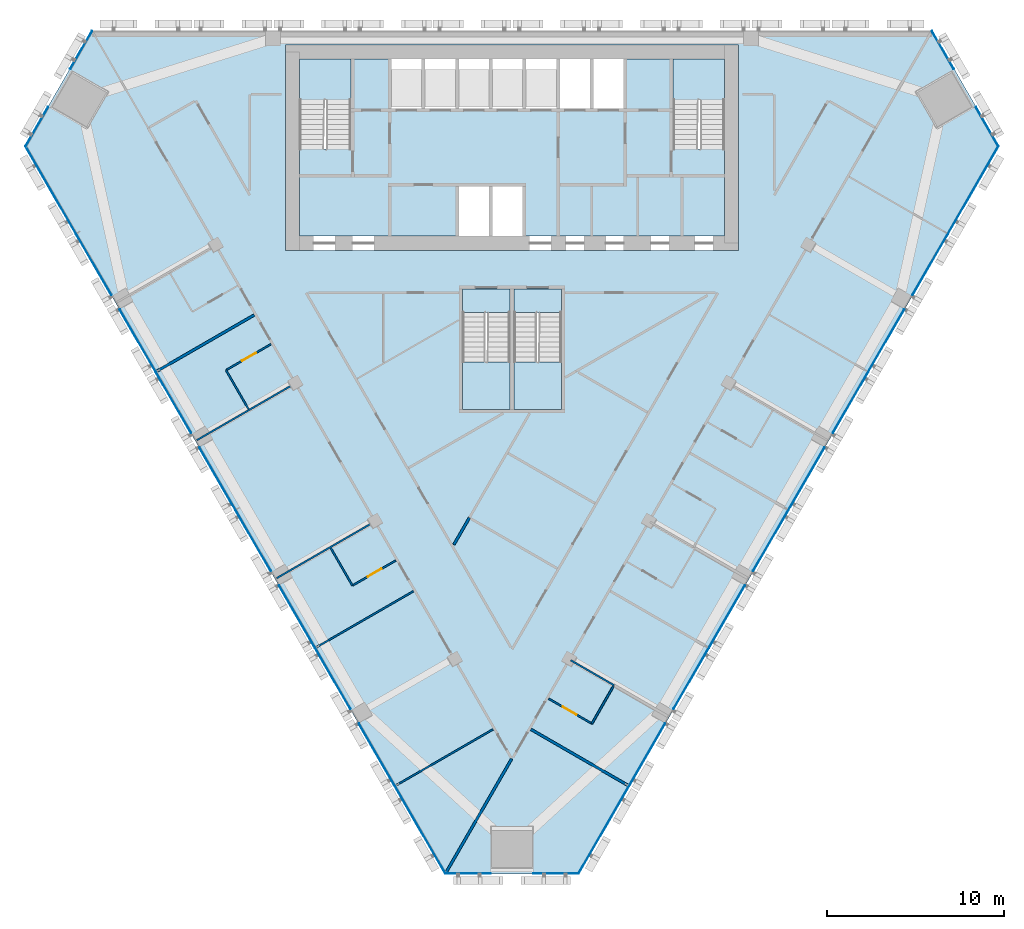
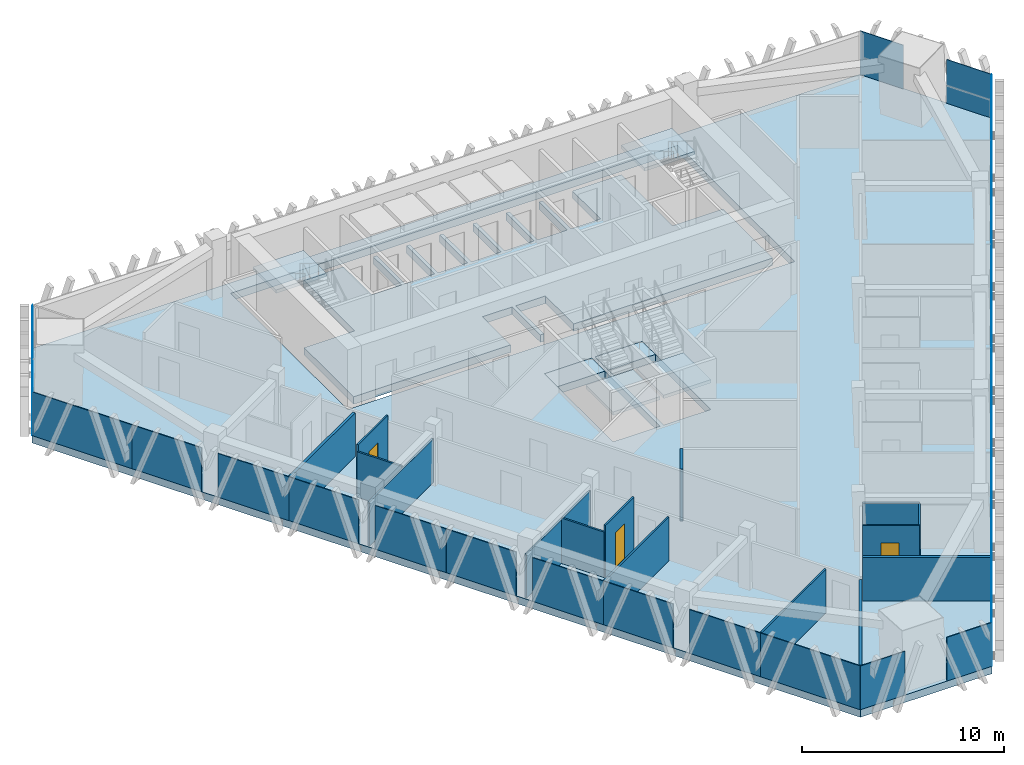
# One storey, part 8 of 15: 26 plates, 15 walls, 8 slabs, 3 doors, 3 openings, 9 elements without a shape of their own.
"""IFC4 building model written with IfcOpenShell, lengths in metres."""

from ifc_helpers import new_model, si_unit, direction, frame, frame_2d, origin, origin_2d, place, context, subcontext, project, spatial, polyline, rectangle, outline, extrude, material, layer, layer_set, type_object, element, fill, aggregate, save


model = new_model("IFC4")

# Units and contexts
model_context = context("Model", 3, precision=1e-05, world=origin(), true_north=direction((0.0, 1.0)))
body_context = subcontext(model_context, "Body", "Model", "MODEL_VIEW")
ifc_project = project(units=[si_unit("LENGTHUNIT", "METRE"), si_unit("AREAUNIT", "SQUARE_METRE"), si_unit("VOLUMEUNIT", "CUBIC_METRE"), si_unit("PLANEANGLEUNIT", "RADIAN"), si_unit("MASSUNIT", "GRAM", prefix="KILO")], contexts=[model_context])

# Site, building, storey
site_placement = place(None, origin())
site = spatial("IfcSite", under=ifc_project, at=site_placement, CompositionType="ELEMENT")
building_placement = place(site_placement, origin())
building = spatial("IfcBuilding", under=site, at=building_placement, Name="Altiplano Prism Tower", CompositionType="ELEMENT")
storey_placement = place(building_placement, frame((0.0, 0.0, 142.199951171875)))
storey = spatial("IfcBuildingStorey", under=building, at=storey_placement, Name="L36", CompositionType="ELEMENT", Elevation=142.199951171875)

# Curtain wall, plates
ifc_material_1 = material(Name="Aluminium and glass", Category="aluminium")
ifc_layer_1 = layer(ifc_material_1, 0.280029296875)
ifc_layer_set_1 = layer_set([ifc_layer_1], Name="Aluminium and glass")
curtain_wall_type = type_object("IfcCurtainWallType", Name="CW1 typical co-living unitised curtain wall", PredefinedType="NOTDEFINED", material=ifc_layer_set_1)
curtain_wall_1_placement = place(storey_placement, origin())
curtain_wall_1 = element("IfcCurtainWall", 1, at=curtain_wall_1_placement, inside=storey, type_object=curtain_wall_type, Name="CW1 curtain wall north-west chamfer L36", PredefinedType="NOTDEFINED")
ifc_material_2 = material(Name="Clear glass", Category="glass")
ifc_layer_2 = layer(ifc_material_2, 0.0400390625)
ifc_layer_set_2 = layer_set([ifc_layer_2], Name="Clear glass")
plate_type = type_object("IfcPlateType", Name="CW1 insulated glass unit 40", PredefinedType="CURTAIN_PANEL", material=ifc_layer_set_2)
plate_1_placement = place(storey_placement, frame((60.678466796875, 103.912353515625, 0.0), z_axis=(0.0, 0.0, 1.0), x_axis=(-0.500000005472, -0.866025400625, 0.0)))
plate_1 = element("IfcPlate", 2, at=plate_1_placement, type_object=plate_type, Name="CW1 panel", PredefinedType="CURTAIN_PANEL", context=body_context, shape_type="SweptSolid", body=[
    extrude(rectangle(XDim=2.478515625, YDim=0.0400390625, at=origin_2d()), origin(), (0.0, 0.0, 1.0), 2.64990234375),
])
plate_2_placement = place(storey_placement, frame((58.17431640625, 99.574951171875, 0.0), z_axis=(0.0, 0.0, 1.0), x_axis=(-0.500000005472, -0.866025400625, 0.0)))
plate_2 = element("IfcPlate", 3, at=plate_2_placement, type_object=plate_type, Name="CW1 panel", PredefinedType="CURTAIN_PANEL", context=body_context, shape_type="SweptSolid", body=[
    extrude(rectangle(XDim=2.55859375, YDim=0.0400390625, at=origin_2d()), origin(), (0.0, 0.0, 1.0), 2.64990234375),
])
aggregate(curtain_wall_1, [plate_1, plate_2])

curtain_wall_2_placement = place(storey_placement, origin())
curtain_wall_2 = element("IfcCurtainWall", 4, at=curtain_wall_2_placement, inside=storey, type_object=curtain_wall_type, Name="CW1 curtain wall south-west face L36", PredefinedType="NOTDEFINED")
plate_3_placement = place(storey_placement, frame((58.961181640625, 96.00732421875, 0.0), z_axis=(0.0, 0.0, 1.0), x_axis=(0.500000000877, -0.866025403278, 0.0)))
plate_3 = element("IfcPlate", 5, at=plate_3_placement, type_object=plate_type, Name="CW1 panel", PredefinedType="CURTAIN_PANEL", context=body_context, shape_type="SweptSolid", body=[
    extrude(rectangle(XDim=5.706787109375, YDim=0.0400390625, at=origin_2d()), origin(), (0.0, 0.0, 1.0), 2.64990234375),
])
plate_4_placement = place(storey_placement, frame((61.389404296875, 91.8017578125, 0.0), z_axis=(0.0, 0.0, 1.0), x_axis=(0.500000000877, -0.866025403278, 0.0)))
plate_4 = element("IfcPlate", 6, at=plate_4_placement, type_object=plate_type, Name="CW1 panel", PredefinedType="CURTAIN_PANEL", context=body_context, shape_type="SweptSolid", body=[
    extrude(rectangle(XDim=3.985595703125, YDim=0.0400390625, at=origin_2d()), origin(), (0.0, 0.0, 1.0), 2.64990234375),
])
plate_5_placement = place(storey_placement, frame((63.871826171875, 87.501953125, 0.0), z_axis=(0.0, 0.0, 1.0), x_axis=(0.500000000877, -0.866025403278, 0.0)))
plate_5 = element("IfcPlate", 7, at=plate_5_placement, type_object=plate_type, Name="CW1 panel", PredefinedType="CURTAIN_PANEL", context=body_context, shape_type="SweptSolid", body=[
    extrude(rectangle(XDim=4.064453125, YDim=0.0400390625, at=origin_2d()), origin(), (0.0, 0.0, 1.0), 2.64990234375),
])
plate_6_placement = place(storey_placement, frame((65.889404296875, 84.007568359375, 0.0), z_axis=(0.0, 0.0, 1.0), x_axis=(0.500000000877, -0.866025403278, 0.0)))
plate_6 = element("IfcPlate", 8, at=plate_6_placement, type_object=plate_type, Name="CW1 panel", PredefinedType="CURTAIN_PANEL", context=body_context, shape_type="SweptSolid", body=[
    extrude(rectangle(XDim=3.985595703125, YDim=0.0400390625, at=origin_2d()), origin(), (0.0, 0.0, 1.0), 2.64990234375),
])
plate_7_placement = place(storey_placement, frame((68.371826171875, 79.707763671875, 0.0), z_axis=(0.0, 0.0, 1.0), x_axis=(0.500000000877, -0.866025403278, 0.0)))
plate_7 = element("IfcPlate", 9, at=plate_7_placement, type_object=plate_type, Name="CW1 panel", PredefinedType="CURTAIN_PANEL", context=body_context, shape_type="SweptSolid", body=[
    extrude(rectangle(XDim=4.064453125, YDim=0.0400390625, at=origin_2d()), origin(), (0.0, 0.0, 1.0), 2.64990234375),
])
plate_8_placement = place(storey_placement, frame((70.389404296875, 76.21337890625, 0.0), z_axis=(0.0, 0.0, 1.0), x_axis=(0.500000000877, -0.866025403278, 0.0)))
plate_8 = element("IfcPlate", 10, at=plate_8_placement, type_object=plate_type, Name="CW1 panel", PredefinedType="CURTAIN_PANEL", context=body_context, shape_type="SweptSolid", body=[
    extrude(rectangle(XDim=3.985595703125, YDim=0.0400390625, at=origin_2d()), origin(), (0.0, 0.0, 1.0), 2.64990234375),
])
plate_9_placement = place(storey_placement, frame((72.871826171875, 71.91357421875, 0.0), z_axis=(0.0, 0.0, 1.0), x_axis=(0.500000000877, -0.866025403278, 0.0)))
plate_9 = element("IfcPlate", 11, at=plate_9_placement, type_object=plate_type, Name="CW1 panel", PredefinedType="CURTAIN_PANEL", context=body_context, shape_type="SweptSolid", body=[
    extrude(rectangle(XDim=4.064453125, YDim=0.0400390625, at=origin_2d()), origin(), (0.0, 0.0, 1.0), 2.64990234375),
])
plate_10_placement = place(storey_placement, frame((74.889404296875, 68.419189453125, 0.0), z_axis=(0.0, 0.0, 1.0), x_axis=(0.500000000877, -0.866025403278, 0.0)))
plate_10 = element("IfcPlate", 12, at=plate_10_placement, type_object=plate_type, Name="CW1 panel", PredefinedType="CURTAIN_PANEL", context=body_context, shape_type="SweptSolid", body=[
    extrude(rectangle(XDim=3.985595703125, YDim=0.0400390625, at=origin_2d()), origin(), (0.0, 0.0, 1.0), 2.64990234375),
])
plate_11_placement = place(storey_placement, frame((77.371826171875, 64.119384765625, 0.0), z_axis=(0.0, 0.0, 1.0), x_axis=(0.500000000877, -0.866025403278, 0.0)))
plate_11 = element("IfcPlate", 13, at=plate_11_placement, type_object=plate_type, Name="CW1 panel", PredefinedType="CURTAIN_PANEL", context=body_context, shape_type="SweptSolid", body=[
    extrude(rectangle(XDim=4.064453125, YDim=0.0400390625, at=origin_2d()), origin(), (0.0, 0.0, 1.0), 2.64990234375),
])
plate_12_placement = place(storey_placement, frame((79.819580078125, 59.879638671875, 0.0), z_axis=(0.0, 0.0, 1.0), x_axis=(0.500000000877, -0.866025403278, 0.0)))
plate_12 = element("IfcPlate", 14, at=plate_12_placement, type_object=plate_type, Name="CW1 panel", PredefinedType="CURTAIN_PANEL", context=body_context, shape_type="SweptSolid", body=[
    extrude(rectangle(XDim=5.706787109375, YDim=0.0400390625, at=origin_2d()), origin(), (0.0, 0.0, 1.0), 2.64990234375),
])
aggregate(curtain_wall_2, [plate_3, plate_4, plate_5, plate_6, plate_7, plate_8, plate_9, plate_10, plate_11, plate_12])

curtain_wall_3_placement = place(storey_placement, origin())
curtain_wall_3 = element("IfcCurtainWall", 15, at=curtain_wall_3_placement, inside=storey, type_object=curtain_wall_type, Name="CW1 curtain wall south chamfer L36", PredefinedType="NOTDEFINED")
plate_13_placement = place(storey_placement, frame((82.515869140625, 57.4140625, 0.0), z_axis=(0.0, 0.0, 1.0), x_axis=(1.0, 0.0, 0.0)))
plate_13 = element("IfcPlate", 16, at=plate_13_placement, type_object=plate_type, Name="CW1 panel", PredefinedType="CURTAIN_PANEL", context=body_context, shape_type="SweptSolid", body=[
    extrude(rectangle(XDim=2.55859375, YDim=0.0400390625, at=origin_2d()), origin(), (0.0, 0.0, 1.0), 2.64990234375),
])
plate_14_placement = place(storey_placement, frame((87.484130859375, 57.4140625, 0.0), z_axis=(0.0, 0.0, 1.0), x_axis=(1.0, 0.0, 0.0)))
plate_14 = element("IfcPlate", 17, at=plate_14_placement, type_object=plate_type, Name="CW1 panel", PredefinedType="CURTAIN_PANEL", context=body_context, shape_type="SweptSolid", body=[
    extrude(rectangle(XDim=2.55859375, YDim=0.0400390625, at=origin_2d()), origin(), (0.0, 0.0, 1.0), 2.64990234375),
])
aggregate(curtain_wall_3, [plate_13, plate_14])

curtain_wall_4_placement = place(storey_placement, origin())
curtain_wall_4 = element("IfcCurtainWall", 18, at=curtain_wall_4_placement, inside=storey, type_object=curtain_wall_type, Name="CW1 curtain wall south-east face L36", PredefinedType="NOTDEFINED")
plate_15_placement = place(storey_placement, frame((90.180419921875, 59.879638671875, 0.0), z_axis=(0.0, 0.0, 1.0), x_axis=(0.500000000877, 0.866025403278, 0.0)))
plate_15 = element("IfcPlate", 19, at=plate_15_placement, type_object=plate_type, Name="CW1 panel", PredefinedType="CURTAIN_PANEL", context=body_context, shape_type="SweptSolid", body=[
    extrude(rectangle(XDim=5.706787109375, YDim=0.0400390625, at=origin_2d()), origin(), (0.0, 0.0, 1.0), 2.64990234375),
])
plate_16_placement = place(storey_placement, frame((92.628173828125, 64.119384765625, 0.0), z_axis=(0.0, 0.0, 1.0), x_axis=(0.500000000877, 0.866025403278, 0.0)))
plate_16 = element("IfcPlate", 20, at=plate_16_placement, type_object=plate_type, Name="CW1 panel", PredefinedType="CURTAIN_PANEL", context=body_context, shape_type="SweptSolid", body=[
    extrude(rectangle(XDim=4.064453125, YDim=0.0400390625, at=origin_2d()), origin(), (0.0, 0.0, 1.0), 2.64990234375),
])
plate_17_placement = place(storey_placement, frame((95.110595703125, 68.419189453125, 0.0), z_axis=(0.0, 0.0, 1.0), x_axis=(0.500000000877, 0.866025403278, 0.0)))
plate_17 = element("IfcPlate", 21, at=plate_17_placement, type_object=plate_type, Name="CW1 panel", PredefinedType="CURTAIN_PANEL", context=body_context, shape_type="SweptSolid", body=[
    extrude(rectangle(XDim=3.985595703125, YDim=0.0400390625, at=origin_2d()), origin(), (0.0, 0.0, 1.0), 2.64990234375),
])
plate_18_placement = place(storey_placement, frame((97.128173828125, 71.91357421875, 0.0), z_axis=(0.0, 0.0, 1.0), x_axis=(0.500000000877, 0.866025403278, 0.0)))
plate_18 = element("IfcPlate", 22, at=plate_18_placement, type_object=plate_type, Name="CW1 panel", PredefinedType="CURTAIN_PANEL", context=body_context, shape_type="SweptSolid", body=[
    extrude(rectangle(XDim=4.064453125, YDim=0.0400390625, at=origin_2d()), origin(), (0.0, 0.0, 1.0), 2.64990234375),
])
plate_19_placement = place(storey_placement, frame((99.610595703125, 76.21337890625, 0.0), z_axis=(0.0, 0.0, 1.0), x_axis=(0.500000000877, 0.866025403278, 0.0)))
plate_19 = element("IfcPlate", 23, at=plate_19_placement, type_object=plate_type, Name="CW1 panel", PredefinedType="CURTAIN_PANEL", context=body_context, shape_type="SweptSolid", body=[
    extrude(rectangle(XDim=3.985595703125, YDim=0.0400390625, at=origin_2d()), origin(), (0.0, 0.0, 1.0), 2.64990234375),
])
plate_20_placement = place(storey_placement, frame((101.628173828125, 79.707763671875, 0.0), z_axis=(0.0, 0.0, 1.0), x_axis=(0.500000000877, 0.866025403278, 0.0)))
plate_20 = element("IfcPlate", 24, at=plate_20_placement, type_object=plate_type, Name="CW1 panel", PredefinedType="CURTAIN_PANEL", context=body_context, shape_type="SweptSolid", body=[
    extrude(rectangle(XDim=4.064453125, YDim=0.0400390625, at=origin_2d()), origin(), (0.0, 0.0, 1.0), 2.64990234375),
])
plate_21_placement = place(storey_placement, frame((104.110595703125, 84.007568359375, 0.0), z_axis=(0.0, 0.0, 1.0), x_axis=(0.500000000877, 0.866025403278, 0.0)))
plate_21 = element("IfcPlate", 25, at=plate_21_placement, type_object=plate_type, Name="CW1 panel", PredefinedType="CURTAIN_PANEL", context=body_context, shape_type="SweptSolid", body=[
    extrude(rectangle(XDim=3.985595703125, YDim=0.0400390625, at=origin_2d()), origin(), (0.0, 0.0, 1.0), 2.64990234375),
])
plate_22_placement = place(storey_placement, frame((106.128173828125, 87.501953125, 0.0), z_axis=(0.0, 0.0, 1.0), x_axis=(0.500000000877, 0.866025403278, 0.0)))
plate_22 = element("IfcPlate", 26, at=plate_22_placement, type_object=plate_type, Name="CW1 panel", PredefinedType="CURTAIN_PANEL", context=body_context, shape_type="SweptSolid", body=[
    extrude(rectangle(XDim=4.064453125, YDim=0.0400390625, at=origin_2d()), origin(), (0.0, 0.0, 1.0), 2.64990234375),
])
plate_23_placement = place(storey_placement, frame((108.610595703125, 91.8017578125, 0.0), z_axis=(0.0, 0.0, 1.0), x_axis=(0.500000000877, 0.866025403278, 0.0)))
plate_23 = element("IfcPlate", 27, at=plate_23_placement, type_object=plate_type, Name="CW1 panel", PredefinedType="CURTAIN_PANEL", context=body_context, shape_type="SweptSolid", body=[
    extrude(rectangle(XDim=3.985595703125, YDim=0.0400390625, at=origin_2d()), origin(), (0.0, 0.0, 1.0), 2.64990234375),
])
plate_24_placement = place(storey_placement, frame((111.038818359375, 96.00732421875, 0.0), z_axis=(0.0, 0.0, 1.0), x_axis=(0.500000000877, 0.866025403278, 0.0)))
plate_24 = element("IfcPlate", 28, at=plate_24_placement, type_object=plate_type, Name="CW1 panel", PredefinedType="CURTAIN_PANEL", context=body_context, shape_type="SweptSolid", body=[
    extrude(rectangle(XDim=5.706787109375, YDim=0.0400390625, at=origin_2d()), origin(), (0.0, 0.0, 1.0), 2.64990234375),
])
aggregate(curtain_wall_4, [plate_15, plate_16, plate_17, plate_18, plate_19, plate_20, plate_21, plate_22, plate_23, plate_24])

curtain_wall_5_placement = place(storey_placement, origin())
curtain_wall_5 = element("IfcCurtainWall", 29, at=curtain_wall_5_placement, inside=storey, type_object=curtain_wall_type, Name="CW1 curtain wall north-east chamfer L36", PredefinedType="NOTDEFINED")
plate_25_placement = place(storey_placement, frame((111.82568359375, 99.574951171875, 0.0), z_axis=(0.0, 0.0, 1.0), x_axis=(-0.500000005472, 0.866025400625, 0.0)))
plate_25 = element("IfcPlate", 30, at=plate_25_placement, type_object=plate_type, Name="CW1 panel", PredefinedType="CURTAIN_PANEL", context=body_context, shape_type="SweptSolid", body=[
    extrude(rectangle(XDim=2.55859375, YDim=0.0400390625, at=origin_2d()), origin(), (0.0, 0.0, 1.0), 2.64990234375),
])
plate_26_placement = place(storey_placement, frame((109.321533203125, 103.912353515625, 0.0), z_axis=(0.0, 0.0, 1.0), x_axis=(-0.500000005472, 0.866025400625, 0.0)))
plate_26 = element("IfcPlate", 31, at=plate_26_placement, type_object=plate_type, Name="CW1 panel", PredefinedType="CURTAIN_PANEL", context=body_context, shape_type="SweptSolid", body=[
    extrude(rectangle(XDim=2.478515625, YDim=0.0400390625, at=origin_2d()), origin(), (0.0, 0.0, 1.0), 2.64990234375),
])
aggregate(curtain_wall_5, [plate_25, plate_26])

# Slabs
ifc_material_3 = material(Name="Concrete C40/50", Category="concrete")
ifc_layer_3 = layer(ifc_material_3, 0.449951171875)
ifc_layer_set_3 = layer_set([ifc_layer_3], Name="Concrete C40/50")
slab_type_1 = type_object("IfcSlabType", Name="Core floor slab 450", PredefinedType="FLOOR", material=ifc_layer_set_3)
slab_1_placement = place(storey_placement, frame((0.0, 0.0, -0.449951171875)))
element("IfcSlab", 32, at=slab_1_placement, inside=storey, type_object=slab_type_1, Name="Core floor slab L36", PredefinedType="FLOOR", context=body_context, shape_type="SweptSolid", body=[
    extrude(outline(polyline([(97.0, 98.31005859375), (94.10009765625, 98.31005859375), (94.10009765625, 103.39990234375), (91.300048828125, 103.39990234375), (91.300048828125, 100.60009765625), (89.60009765625, 100.60009765625), (89.60009765625, 103.39990234375), (89.39990234375, 103.39990234375), (89.39990234375, 100.60009765625), (87.699951171875, 100.60009765625), (87.699951171875, 103.39990234375), (87.5, 103.39990234375), (87.5, 100.60009765625), (85.800048828125, 100.60009765625), (85.800048828125, 103.39990234375), (85.60009765625, 103.39990234375), (85.60009765625, 100.60009765625), (83.89990234375, 100.60009765625), (83.89990234375, 103.39990234375), (83.699951171875, 103.39990234375), (83.699951171875, 100.60009765625), (82.0, 100.60009765625), (82.0, 103.39990234375), (81.800048828125, 103.39990234375), (81.800048828125, 100.60009765625), (80.10009765625, 100.60009765625), (80.10009765625, 103.39990234375), (79.89990234375, 103.39990234375), (79.89990234375, 100.60009765625), (78.199951171875, 100.60009765625), (78.199951171875, 103.39990234375), (75.89990234375, 103.39990234375), (75.89990234375, 98.31005859375), (73.0, 98.31005859375), (73.0, 93.39990234375), (82.0, 93.39990234375), (82.0, 96.199951171875), (83.699951171875, 96.199951171875), (83.699951171875, 93.39990234375), (83.89990234375, 93.39990234375), (83.89990234375, 96.199951171875), (85.60009765625, 96.199951171875), (85.60009765625, 93.39990234375), (97.0, 93.39990234375), (97.0, 98.31005859375)])), origin(), (0.0, 0.0, 1.0), 0.449951171875),
])
slab_2_placement = place(storey_placement, frame((0.0, 0.0, -0.449951171875)))
element("IfcSlab", 33, at=slab_2_placement, inside=storey, type_object=slab_type_1, Name="Stair 3A landing slab L36", PredefinedType="FLOOR", context=body_context, shape_type="SweptSolid", body=[
    extrude(outline(polyline([(82.199951171875, 89.096923828125), (84.89990234375, 89.096923828125), (84.89990234375, 90.39990234375), (82.199951171875, 90.39990234375), (82.199951171875, 89.096923828125)])), origin(), (0.0, 0.0, 1.0), 0.449951171875),
])
slab_3_placement = place(storey_placement, frame((0.0, 0.0, -0.449951171875)))
element("IfcSlab", 34, at=slab_3_placement, inside=storey, type_object=slab_type_1, Name="Stair 3B landing slab L36", PredefinedType="FLOOR", context=body_context, shape_type="SweptSolid", body=[
    extrude(outline(polyline([(85.10009765625, 89.096923828125), (87.800048828125, 89.096923828125), (87.800048828125, 90.39990234375), (85.10009765625, 90.39990234375), (85.10009765625, 89.096923828125)])), origin(), (0.0, 0.0, 1.0), 0.449951171875),
])
ifc_layer_4 = layer(ifc_material_3, 0.449951171875)
ifc_layer_set_4 = layer_set([ifc_layer_4], Name="Concrete C40/50")
slab_type_2 = type_object("IfcSlabType", Name="Post-tensioned flat slab 450", PredefinedType="FLOOR", material=ifc_layer_set_4)
slab_4_placement = place(storey_placement, frame((0.0, 0.0, -0.449951171875)))
element("IfcSlab", 35, at=slab_4_placement, inside=storey, type_object=slab_type_2, Name="Floor slab L36", PredefinedType="FLOOR", context=body_context, shape_type="SweptSolid", body=[
    extrude(outline(polyline([(81.2314453125, 57.39404296875), (57.5146484375, 98.472900390625), (61.283203125, 105.0), (108.716796875, 105.0), (112.4853515625, 98.472900390625), (88.7685546875, 57.39404296875), (81.2314453125, 57.39404296875)]), holes=[polyline([(72.199951171875, 104.199951171875), (72.199951171875, 92.60009765625), (97.800048828125, 92.60009765625), (97.800048828125, 104.199951171875), (72.199951171875, 104.199951171875)]), polyline([(84.89990234375, 90.39990234375), (82.199951171875, 90.39990234375), (82.199951171875, 83.60009765625), (84.89990234375, 83.60009765625), (84.89990234375, 90.39990234375)]), polyline([(87.800048828125, 83.60009765625), (87.800048828125, 90.39990234375), (85.10009765625, 90.39990234375), (85.10009765625, 83.60009765625), (87.800048828125, 83.60009765625)])]), origin(), (0.0, 0.0, 1.0), 0.449951171875),
])

# Stair, slab
stair_type_1 = type_object("IfcStairType", Name="Exit stair 1400", PredefinedType="HALF_TURN_STAIR", material=ifc_material_3)
stair_1_placement = place(storey_placement, origin())
stair_1 = element("IfcStair", 36, at=stair_1_placement, inside=storey, type_object=stair_type_1, Name="L36 Exit Stair 1", PredefinedType="HALF_TURN_STAIR")
ifc_layer_5 = layer(ifc_material_3, 0.199951171875)
ifc_layer_set_5 = layer_set([ifc_layer_5], Name="Concrete C40/50")
slab_type_3 = type_object("IfcSlabType", Name="Stair landing 200", PredefinedType="LANDING", material=ifc_layer_set_5)
slab_5_placement = place(storey_placement, frame((0.0, 0.0, 1.60009765625)))
slab_5 = element("IfcSlab", 37, at=slab_5_placement, type_object=slab_type_3, Name="ST1 landing 1", PredefinedType="LANDING", context=body_context, shape_type="SweptSolid", body=[
    extrude(outline(polyline([(75.89990234375, 101.096923828125), (75.89990234375, 103.39990234375), (73.0, 103.39990234375), (73.0, 101.096923828125), (75.89990234375, 101.096923828125)])), origin(), (0.0, 0.0, 1.0), 0.199951171875),
])
aggregate(stair_1, [slab_5])

stair_2_placement = place(storey_placement, origin())
stair_2 = element("IfcStair", 38, at=stair_2_placement, inside=storey, type_object=stair_type_1, Name="L36 Exit Stair 2", PredefinedType="HALF_TURN_STAIR")
slab_6_placement = place(storey_placement, frame((0.0, 0.0, 1.60009765625)))
slab_6 = element("IfcSlab", 39, at=slab_6_placement, type_object=slab_type_3, Name="ST2 landing 1", PredefinedType="LANDING", context=body_context, shape_type="SweptSolid", body=[
    extrude(outline(polyline([(97.0, 101.096923828125), (97.0, 103.39990234375), (94.10009765625, 103.39990234375), (94.10009765625, 101.096923828125), (97.0, 101.096923828125)])), origin(), (0.0, 0.0, 1.0), 0.199951171875),
])
aggregate(stair_2, [slab_6])

stair_type_2 = type_object("IfcStairType", Name="Exit stair 1300", PredefinedType="HALF_TURN_STAIR", material=ifc_material_3)
stair_3_placement = place(storey_placement, origin())
stair_3 = element("IfcStair", 40, at=stair_3_placement, inside=storey, type_object=stair_type_2, Name="L36 Exit Stair 3A", PredefinedType="HALF_TURN_STAIR")
slab_7_placement = place(storey_placement, frame((0.0, 0.0, 1.60009765625)))
slab_7 = element("IfcSlab", 41, at=slab_7_placement, type_object=slab_type_3, Name="ST3A landing 1", PredefinedType="LANDING", context=body_context, shape_type="SweptSolid", body=[
    extrude(outline(polyline([(82.199951171875, 86.302978515625), (82.199951171875, 83.60009765625), (84.89990234375, 83.60009765625), (84.89990234375, 86.302978515625), (82.199951171875, 86.302978515625)])), origin(), (0.0, 0.0, 1.0), 0.199951171875),
])
aggregate(stair_3, [slab_7])

stair_4_placement = place(storey_placement, origin())
stair_4 = element("IfcStair", 42, at=stair_4_placement, inside=storey, type_object=stair_type_2, Name="L36 Exit Stair 3B", PredefinedType="HALF_TURN_STAIR")
slab_8_placement = place(storey_placement, frame((0.0, 0.0, 1.60009765625)))
slab_8 = element("IfcSlab", 43, at=slab_8_placement, type_object=slab_type_3, Name="ST3B landing 1", PredefinedType="LANDING", context=body_context, shape_type="SweptSolid", body=[
    extrude(outline(polyline([(85.10009765625, 86.302978515625), (85.10009765625, 83.60009765625), (87.800048828125, 83.60009765625), (87.800048828125, 86.302978515625), (85.10009765625, 86.302978515625)])), origin(), (0.0, 0.0, 1.0), 0.199951171875),
])
aggregate(stair_4, [slab_8])

# Wall
ifc_material_4 = material(Name="Plasterboard on steel stud", Category="steel")
ifc_layer_6 = layer(ifc_material_4, 0.10009765625)
ifc_layer_set_6 = layer_set([ifc_layer_6], Name="Plasterboard on steel stud")
wall_type_1 = type_object("IfcWallType", Name="Partition 100 unit", PredefinedType="PARTITIONING", material=ifc_layer_set_6)
wall_1_placement = place(storey_placement, frame((70.129150390625, 83.623779296875, 0.0), z_axis=(0.0, 0.0, 1.0), x_axis=(-0.499948979701, 0.866054858364, 0.0)))
element("IfcWall", 44, at=wall_1_placement, inside=storey, type_object=wall_type_1, Name="Partition P02 L36 025", PredefinedType="PARTITIONING", context=body_context, shape_type="SweptSolid", body=[
    extrude(rectangle(XDim=2.550048828125, YDim=0.10009765625, at=frame_2d((1.27490234375, 0.0))), origin(), (0.0, 0.0, 1.0), 2.75),
])

# Wall, opening, door
wall_2_placement = place(storey_placement, frame((68.854248046875, 85.832275390625, 0.0), z_axis=(0.0, 0.0, 1.0), x_axis=(0.866023947468, 0.500002522405, 0.0)))
wall_2 = element("IfcWall", 45, at=wall_2_placement, inside=storey, type_object=wall_type_1, Name="Partition P02 L36 026", PredefinedType="PARTITIONING", context=body_context, shape_type="SweptSolid", body=[
    extrude(rectangle(XDim=2.94287109375, YDim=0.10009765625, at=frame_2d((1.471435546875, 0.0))), origin(), (0.0, 0.0, 1.0), 3.150146484375),
])
opening_1_placement = place(wall_2_placement, frame((1.050048828125, 0.0, 0.0)))
opening_1 = element("IfcOpeningElement", 46, at=opening_1_placement, cuts=wall_2, Name="Opening D1304", PredefinedType="OPENING", context=body_context, shape_type="SweptSolid", body=[
    extrude(rectangle(XDim=0.89990234375, YDim=2.10009765625, at=frame_2d((0.449951171875, 1.050048828125))), frame((0.0, 0.060546875, 0.0), z_axis=(0.0, -1.0, 0.0), x_axis=(1.0, 0.0, 0.0)), (0.0, 0.0, 1.0), 0.12109375),
])
ifc_material_5 = material(Name="Timber", Category="wood")
door_type = type_object("IfcDoorType", Name="Ensuite door 900 x 2100", OperationType="NOTDEFINED", PredefinedType="NOTDEFINED", material=ifc_material_5)
door_1_placement = place(opening_1_placement, origin())
door_1 = element("IfcDoor", 47, at=door_1_placement, inside=storey, type_object=door_type, Name="Door D1304", OperationType="SINGLE_SWING_RIGHT", OverallHeight=2.10009765625, OverallWidth=0.89990234375, PredefinedType="NOTDEFINED", context=body_context, shape_type="SweptSolid", body=[
    extrude(rectangle(XDim=0.89990234375, YDim=2.10009765625, at=frame_2d((0.449951171875, 1.050048828125))), frame((0.0, 0.02490234375, 0.0), z_axis=(0.0, -1.0, 0.0), x_axis=(1.0, 0.0, 0.0)), (0.0, 0.0, 1.0), 0.050048828125),
])
fill(opening_1, door_1)

wall_3_placement = place(storey_placement, frame((78.44482421875, 75.088134765625, 0.0), z_axis=(0.0, 0.0, 1.0), x_axis=(-0.866044985707, -0.499966081581, 0.0)))
wall_3 = element("IfcWall", 48, at=wall_3_placement, inside=storey, type_object=wall_type_1, Name="Partition P02 L36 029", PredefinedType="PARTITIONING", context=body_context, shape_type="SweptSolid", body=[
    extrude(rectangle(XDim=2.833740234375, YDim=0.10009765625, at=frame_2d((1.4169921875, 0.0))), origin(), (0.0, 0.0, 1.0), 3.150146484375),
])
opening_2_placement = place(wall_3_placement, frame((0.93408203125, 0.0, 0.0)))
opening_2 = element("IfcOpeningElement", 49, at=opening_2_placement, cuts=wall_3, Name="Opening D1307", PredefinedType="OPENING", context=body_context, shape_type="SweptSolid", body=[
    extrude(rectangle(XDim=0.89990234375, YDim=2.10009765625, at=frame_2d((0.449951171875, 1.050048828125))), frame((0.0, 0.060546875, 0.0), z_axis=(0.0, -1.0, 0.0), x_axis=(1.0, 0.0, 0.0)), (0.0, 0.0, 1.0), 0.12109375),
])
door_2_placement = place(opening_2_placement, origin())
door_2 = element("IfcDoor", 50, at=door_2_placement, inside=storey, type_object=door_type, Name="Door D1307", OperationType="SINGLE_SWING_LEFT", OverallHeight=2.10009765625, OverallWidth=0.89990234375, PredefinedType="NOTDEFINED", context=body_context, shape_type="SweptSolid", body=[
    extrude(rectangle(XDim=0.89990234375, YDim=2.10009765625, at=frame_2d((0.449951171875, 1.050048828125))), frame((0.0, 0.02490234375, 0.0), z_axis=(0.0, -1.0, 0.0), x_axis=(1.0, 0.0, 0.0)), (0.0, 0.0, 1.0), 0.050048828125),
])
fill(opening_2, door_2)

# Walls
wall_4_placement = place(storey_placement, frame((75.99072265625, 73.67138671875, 0.0), z_axis=(0.0, 0.0, 1.0), x_axis=(-0.499987006516, 0.866032905446, 0.0)))
element("IfcWall", 51, at=wall_4_placement, inside=storey, type_object=wall_type_1, Name="Partition P02 L36 030", PredefinedType="PARTITIONING", context=body_context, shape_type="SweptSolid", body=[
    extrude(rectangle(XDim=2.44970703125, YDim=0.10009765625, at=frame_2d((1.224853515625, 0.0))), origin(), (0.0, 0.0, 1.0), 2.75),
])
wall_5_placement = place(storey_placement, frame((90.7216796875, 67.977294921875, 0.0), z_axis=(0.0, 0.0, 1.0), x_axis=(-0.499928696113, -0.866066567189, 0.0)))
element("IfcWall", 52, at=wall_5_placement, inside=storey, type_object=wall_type_1, Name="Partition P02 L36 035", PredefinedType="PARTITIONING", context=body_context, shape_type="SweptSolid", body=[
    extrude(rectangle(XDim=2.425048828125, YDim=0.10009765625, at=frame_2d((1.21240234375, 0.0))), origin(), (0.0, 0.0, 1.0), 2.75),
])

# Wall, opening, door
wall_6_placement = place(storey_placement, frame((89.50927734375, 65.876953125, 0.0), z_axis=(0.0, 0.0, 1.0), x_axis=(-0.866040377869, 0.499974063228, 0.0)))
wall_6 = element("IfcWall", 53, at=wall_6_placement, inside=storey, type_object=wall_type_1, Name="Partition P02 L36 036", PredefinedType="PARTITIONING", context=body_context, shape_type="SweptSolid", body=[
    extrude(rectangle(XDim=2.827880859375, YDim=0.10009765625, at=frame_2d((1.4140625, 0.0))), origin(), (0.0, 0.0, 1.0), 3.150146484375),
])
opening_3_placement = place(wall_6_placement, frame((1.0, 0.0, 0.0)))
opening_3 = element("IfcOpeningElement", 54, at=opening_3_placement, cuts=wall_6, Name="Opening D1312", PredefinedType="OPENING", context=body_context, shape_type="SweptSolid", body=[
    extrude(rectangle(XDim=0.89990234375, YDim=2.10009765625, at=frame_2d((0.449951171875, 1.050048828125))), frame((0.0, 0.060546875, 0.0), z_axis=(0.0, -1.0, 0.0), x_axis=(1.0, 0.0, 0.0)), (0.0, 0.0, 1.0), 0.12109375),
])
door_3_placement = place(opening_3_placement, origin())
door_3 = element("IfcDoor", 55, at=door_3_placement, inside=storey, type_object=door_type, Name="Door D1312", OperationType="SINGLE_SWING_LEFT", OverallHeight=2.10009765625, OverallWidth=0.89990234375, PredefinedType="NOTDEFINED", context=body_context, shape_type="SweptSolid", body=[
    extrude(rectangle(XDim=0.89990234375, YDim=2.10009765625, at=frame_2d((0.449951171875, 1.050048828125))), frame((0.0, 0.02490234375, 0.0), z_axis=(0.0, -1.0, 0.0), x_axis=(1.0, 0.0, 0.0)), (0.0, 0.0, 1.0), 0.050048828125),
])
fill(opening_3, door_3)

# Walls
ifc_layer_7 = layer(ifc_material_4, 0.10009765625)
ifc_layer_set_7 = layer_set([ifc_layer_7], Name="Plasterboard on steel stud")
wall_type_2 = type_object("IfcWallType", Name="Partition 100 wet", PredefinedType="PARTITIONING", material=ifc_layer_set_7)
wall_7_placement = place(storey_placement, frame((67.209716796875, 81.880615234375, 0.0), z_axis=(0.0, 0.0, 1.0), x_axis=(0.866024019333, 0.500002397932, 0.0)))
element("IfcWall", 56, at=wall_7_placement, inside=storey, type_object=wall_type_2, Name="Partition P03 L36 027", PredefinedType="PARTITIONING", context=body_context, shape_type="SweptSolid", body=[
    extrude(rectangle(XDim=6.34130859375, YDim=0.10009765625, at=frame_2d((3.170654296875, 0.0))), origin(), (0.0, 0.0, 1.0), 2.650146484375),
])
wall_8_placement = place(storey_placement, frame((71.709716796875, 74.08642578125, 0.0), z_axis=(0.0, 0.0, 1.0), x_axis=(0.866038629546, 0.499977091609, 0.0)))
element("IfcWall", 57, at=wall_8_placement, inside=storey, type_object=wall_type_2, Name="Partition P03 L36 028", PredefinedType="PARTITIONING", context=body_context, shape_type="SweptSolid", body=[
    extrude(rectangle(XDim=6.335205078125, YDim=0.10009765625, at=frame_2d((3.16748046875, 0.0))), origin(), (0.0, 0.0, 1.0), 2.650146484375),
])
wall_9_placement = place(storey_placement, frame((73.942138671875, 70.17919921875, 0.0), z_axis=(0.0, 0.0, 1.0), x_axis=(0.866025586274, 0.499999683919, 0.0)))
element("IfcWall", 58, at=wall_9_placement, inside=storey, type_object=wall_type_2, Name="Partition P03 L36 031", PredefinedType="PARTITIONING", context=body_context, shape_type="SweptSolid", body=[
    extrude(rectangle(XDim=6.3525390625, YDim=0.10009765625, at=frame_2d((3.17626953125, 0.0))), origin(), (0.0, 0.0, 1.0), 2.650146484375),
])
wall_10_placement = place(storey_placement, frame((78.442138671875, 62.385009765625, 0.0), z_axis=(0.0, 0.0, 1.0), x_axis=(0.866040171963, 0.499974419891, 0.0)))
element("IfcWall", 59, at=wall_10_placement, inside=storey, type_object=wall_type_2, Name="Partition P03 L36 032", PredefinedType="PARTITIONING", context=body_context, shape_type="SweptSolid", body=[
    extrude(rectangle(XDim=6.346435546875, YDim=0.10009765625, at=frame_2d((3.17333984375, 0.0))), origin(), (0.0, 0.0, 1.0), 2.650146484375),
])
wall_11_placement = place(storey_placement, frame((90.776611328125, 68.0322265625, 0.0), z_axis=(0.0, 0.0, 1.0), x_axis=(-0.866035761792, 0.499982058975, 0.0)))
element("IfcWall", 60, at=wall_11_placement, inside=storey, type_object=wall_type_2, Name="Partition P03 L36 038", PredefinedType="PARTITIONING", context=body_context, shape_type="SweptSolid", body=[
    extrude(rectangle(XDim=2.84912109375, YDim=0.10009765625, at=frame_2d((1.424560546875, 0.0))), origin(), (0.0, 0.0, 1.0), 2.75),
])
ifc_layer_8 = layer(ifc_material_4, 0.14990234375)
ifc_layer_set_8 = layer_set([ifc_layer_8], Name="Plasterboard on steel stud")
wall_type_3 = type_object("IfcWallType", Name="Partition 150 party", PredefinedType="PARTITIONING", material=ifc_layer_set_8)
wall_12_placement = place(storey_placement, frame((64.942138671875, 85.767578125, 0.0), z_axis=(0.0, 0.0, 1.0), x_axis=(0.866029717158, 0.499992528944, 0.0)))
element("IfcWall", 61, at=wall_12_placement, inside=storey, type_object=wall_type_3, Name="Partition P01 L36 024", PredefinedType="PARTITIONING", context=body_context, shape_type="SweptSolid", body=[
    extrude(rectangle(XDim=6.3642578125, YDim=0.14990234375, at=frame_2d((3.18212890625, 0.0))), origin(), (0.0, 0.0, 1.0), 2.650146484375),
])
wall_13_placement = place(storey_placement, frame((81.274658203125, 57.46875, 0.0), z_axis=(0.0, 0.0, 1.0), x_axis=(0.500007295633, 0.866021191608, 0.0)))
element("IfcWall", 62, at=wall_13_placement, inside=storey, type_object=wall_type_3, Name="Partition P01 L36 033", PredefinedType="PARTITIONING", context=body_context, shape_type="SweptSolid", body=[
    extrude(rectangle(XDim=7.41943359375, YDim=0.14990234375, at=frame_2d((3.709716796875, 0.0))), origin(), (0.0, 0.0, 1.0), 2.650146484375),
])
wall_14_placement = place(storey_placement, frame((91.557861328125, 62.385009765625, 0.0), z_axis=(0.0, 0.0, 1.0), x_axis=(-0.866040171963, 0.499974419891, 0.0)))
element("IfcWall", 63, at=wall_14_placement, inside=storey, type_object=wall_type_3, Name="Partition P01 L36 034", PredefinedType="PARTITIONING", context=body_context, shape_type="SweptSolid", body=[
    extrude(rectangle(XDim=6.346435546875, YDim=0.14990234375, at=frame_2d((3.17333984375, 0.0))), origin(), (0.0, 0.0, 1.0), 2.650146484375),
])
wall_15_placement = place(storey_placement, frame((81.717529296875, 75.9794921875, 0.0), z_axis=(0.0, 0.0, 1.0), x_axis=(0.499987607361, 0.86603255856, 0.0)))
element("IfcWall", 64, at=wall_15_placement, inside=storey, type_object=wall_type_3, Name="Partition P01 L36 057", PredefinedType="PARTITIONING", context=body_context, shape_type="SweptSolid", body=[
    extrude(rectangle(XDim=1.75341796875, YDim=0.14990234375, at=frame_2d((0.876708984375, 0.0))), origin(), (0.0, 0.0, 1.0), 3.150146484375),
])

save(model, "model.ifc")
